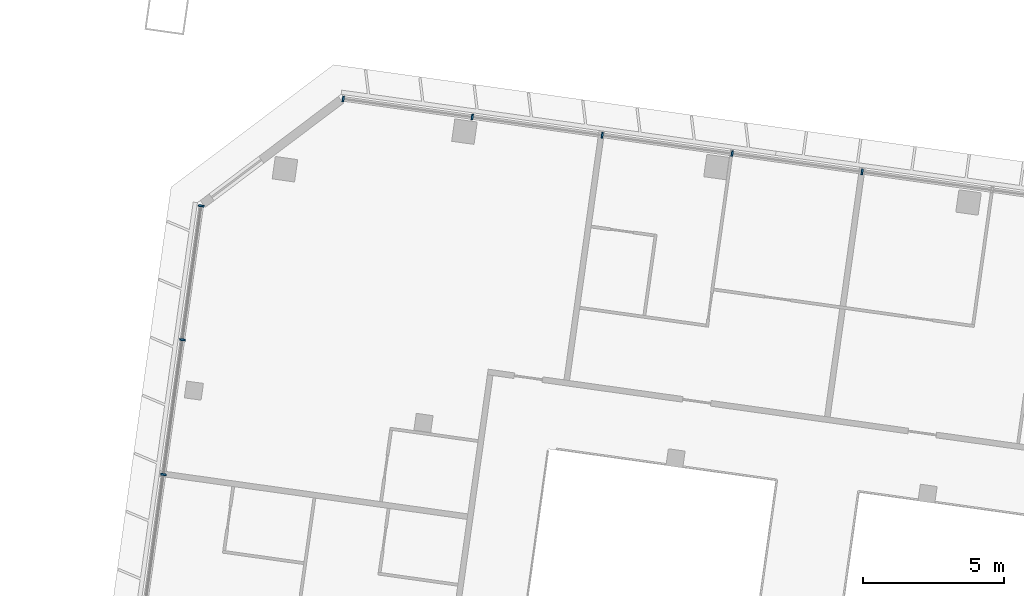
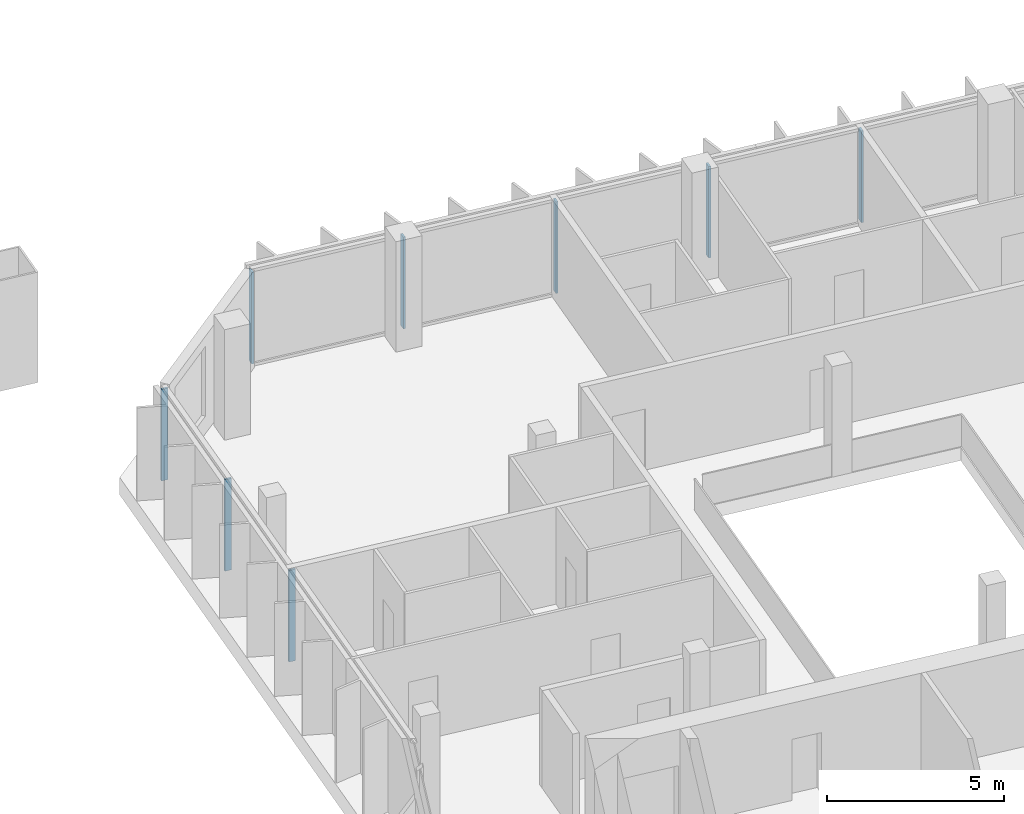
# One storey, part 4 of 23: 8 members, 2 elements without a shape of their own.
"""IFC4 building model written with IfcOpenShell, lengths in metres."""

from ifc_helpers import new_model, si_unit, direction, frame, origin, origin_2d, place, context, subcontext, project, spatial, rectangle, extrude, material, material_profile, profile_set, type_object, element, aggregate, save


model = new_model("IFC4")

# Units and contexts
model_context = context("Model", 3, precision=1e-05, world=origin(), true_north=direction((0.0, 1.0)))
body_context = subcontext(model_context, "Body", "Model", "MODEL_VIEW")
ifc_project = project(units=[si_unit("LENGTHUNIT", "METRE"), si_unit("AREAUNIT", "SQUARE_METRE"), si_unit("VOLUMEUNIT", "CUBIC_METRE"), si_unit("PLANEANGLEUNIT", "RADIAN"), si_unit("MASSUNIT", "GRAM", prefix="KILO")], contexts=[model_context])

# Site, building, storey
site_placement = place(None, origin())
site = spatial("IfcSite", under=ifc_project, at=site_placement, CompositionType="ELEMENT")
building_placement = place(site_placement, origin())
building = spatial("IfcBuilding", under=site, at=building_placement, Name="Mirante Cascada Hotel Towers", CompositionType="ELEMENT")
storey_placement = place(building_placement, frame((0.0, 0.0, 187.8)))
storey = spatial("IfcBuildingStorey", under=building, at=storey_placement, Name="L44", CompositionType="ELEMENT", Elevation=187.8)

# Curtain wall, members
ifc_material_1 = material(Name="Aluminium mullion and transom frame with clear laminated glass", Category="aluminium")
curtain_wall_type_1 = type_object("IfcCurtainWallType", Name="Ribbon curtain wall ECW1", PredefinedType="NOTDEFINED", material=ifc_material_1)
curtain_wall_1_placement = place(storey_placement, origin())
curtain_wall_1 = element("IfcCurtainWall", 1, at=curtain_wall_1_placement, inside=storey, type_object=curtain_wall_type_1, Name="Front ribbon wall T1 L44", PredefinedType="NOTDEFINED")
ifc_material_2 = material(Name="Anodised aluminium extrusion", Category="aluminium")
ifc_material_profile_1 = material_profile(ifc_material_2, rectangle(XDim=0.2, YDim=0.065, at=origin_2d()), Name="ECW1 MULLION 65x200")
ifc_profile_set_1 = profile_set([ifc_material_profile_1], Name="Anodised aluminium extrusion")
member_type_1 = type_object("IfcMemberType", Name="ECW1 mullion 65x200", PredefinedType="MULLION", material=ifc_profile_set_1)
member_1_placement = place(storey_placement, frame((-76.3011, 23.5425, 0.1), z_axis=(0.0, 0.0, 1.0), x_axis=(0.1391731, 0.9902681, 0.0)))
member_1 = element("IfcMember", 2, at=member_1_placement, type_object=member_type_1, Name="ECW1 mullion 1", PredefinedType="MULLION", context=body_context, shape_type="SweptSolid", body=[
    extrude(rectangle(XDim=0.2, YDim=0.065, at=origin_2d()), origin(), (0.0, 0.0, 1.0), 3.15),
])
member_2_placement = place(storey_placement, frame((-71.7382, 22.9012, 0.1), z_axis=(0.0, 0.0, 1.0), x_axis=(0.1391731, 0.9902681, 0.0)))
member_2 = element("IfcMember", 3, at=member_2_placement, type_object=member_type_1, Name="ECW1 mullion 2", PredefinedType="MULLION", context=body_context, shape_type="SweptSolid", body=[
    extrude(rectangle(XDim=0.2, YDim=0.065, at=origin_2d()), origin(), (0.0, 0.0, 1.0), 3.15),
])
member_3_placement = place(storey_placement, frame((-67.143, 22.2554, 0.1), z_axis=(0.0, 0.0, 1.0), x_axis=(0.1391731, 0.9902681, 0.0)))
member_3 = element("IfcMember", 4, at=member_3_placement, type_object=member_type_1, Name="ECW1 mullion 3", PredefinedType="MULLION", context=body_context, shape_type="SweptSolid", body=[
    extrude(rectangle(XDim=0.2, YDim=0.065, at=origin_2d()), origin(), (0.0, 0.0, 1.0), 3.15),
])
member_4_placement = place(storey_placement, frame((-62.5479, 21.6096, 0.1), z_axis=(0.0, 0.0, 1.0), x_axis=(0.1391731, 0.9902681, 0.0)))
member_4 = element("IfcMember", 5, at=member_4_placement, type_object=member_type_1, Name="ECW1 mullion 4", PredefinedType="MULLION", context=body_context, shape_type="SweptSolid", body=[
    extrude(rectangle(XDim=0.2, YDim=0.065, at=origin_2d()), origin(), (0.0, 0.0, 1.0), 3.15),
])
member_5_placement = place(storey_placement, frame((-57.9527, 20.9637, 0.1), z_axis=(0.0, 0.0, 1.0), x_axis=(0.1391731, 0.9902681, 0.0)))
member_5 = element("IfcMember", 6, at=member_5_placement, type_object=member_type_1, Name="ECW1 mullion 5", PredefinedType="MULLION", context=body_context, shape_type="SweptSolid", body=[
    extrude(rectangle(XDim=0.2, YDim=0.065, at=origin_2d()), origin(), (0.0, 0.0, 1.0), 3.15),
])
aggregate(curtain_wall_1, [member_1, member_2, member_3, member_4, member_5])

ifc_material_3 = material(Name="Aluminium mullion and transom frame with clear laminated glass", Category="aluminium")
curtain_wall_type_2 = type_object("IfcCurtainWallType", Name="End ribbon curtain wall ECW2", PredefinedType="NOTDEFINED", material=ifc_material_3)
curtain_wall_2_placement = place(storey_placement, origin())
curtain_wall_2 = element("IfcCurtainWall", 7, at=curtain_wall_2_placement, inside=storey, type_object=curtain_wall_type_2, Name="Outer end wall T1 L44", PredefinedType="NOTDEFINED")
ifc_material_4 = material(Name="Anodised aluminium extrusion", Category="aluminium")
ifc_material_profile_2 = material_profile(ifc_material_4, rectangle(XDim=0.2, YDim=0.065, at=origin_2d()), Name="ECW2 MULLION 65x200")
ifc_profile_set_2 = profile_set([ifc_material_profile_2], Name="Anodised aluminium extrusion")
member_type_2 = type_object("IfcMemberType", Name="ECW2 mullion 65x200", PredefinedType="MULLION", material=ifc_profile_set_2)
member_6_placement = place(storey_placement, frame((-82.6561, 10.2603, 0.1), z_axis=(0.0, 0.0, 1.0), x_axis=(-0.9902681, 0.1391731, 0.0)))
member_6 = element("IfcMember", 8, at=member_6_placement, type_object=member_type_2, Name="ECW2 mullion 5", PredefinedType="MULLION", context=body_context, shape_type="SweptSolid", body=[
    extrude(rectangle(XDim=0.2, YDim=0.065, at=origin_2d()), origin(), (0.0, 0.0, 1.0), 3.15),
])
member_7_placement = place(storey_placement, frame((-81.9864, 15.026, 0.1), z_axis=(0.0, 0.0, 1.0), x_axis=(-0.9902681, 0.1391731, 0.0)))
member_7 = element("IfcMember", 9, at=member_7_placement, type_object=member_type_2, Name="ECW2 mullion 6", PredefinedType="MULLION", context=body_context, shape_type="SweptSolid", body=[
    extrude(rectangle(XDim=0.2, YDim=0.065, at=origin_2d()), origin(), (0.0, 0.0, 1.0), 3.15),
])
member_8_placement = place(storey_placement, frame((-81.3211, 19.7596, 0.1), z_axis=(0.0, 0.0, 1.0), x_axis=(-0.9902681, 0.1391731, 0.0)))
member_8 = element("IfcMember", 10, at=member_8_placement, type_object=member_type_2, Name="ECW2 mullion 7", PredefinedType="MULLION", context=body_context, shape_type="SweptSolid", body=[
    extrude(rectangle(XDim=0.2, YDim=0.065, at=origin_2d()), origin(), (0.0, 0.0, 1.0), 3.15),
])
aggregate(curtain_wall_2, [member_6, member_7, member_8])

save(model, "model.ifc")
